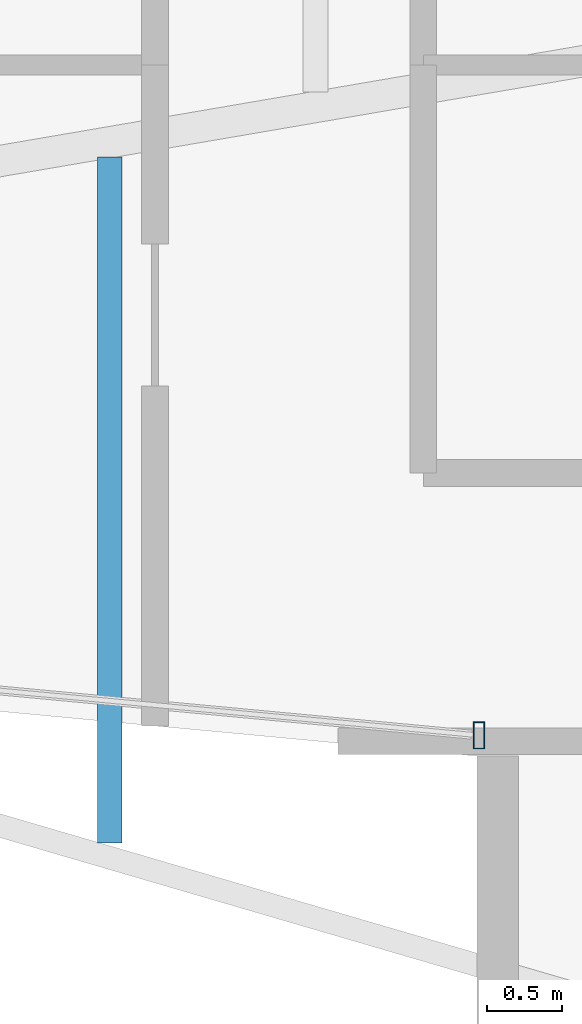
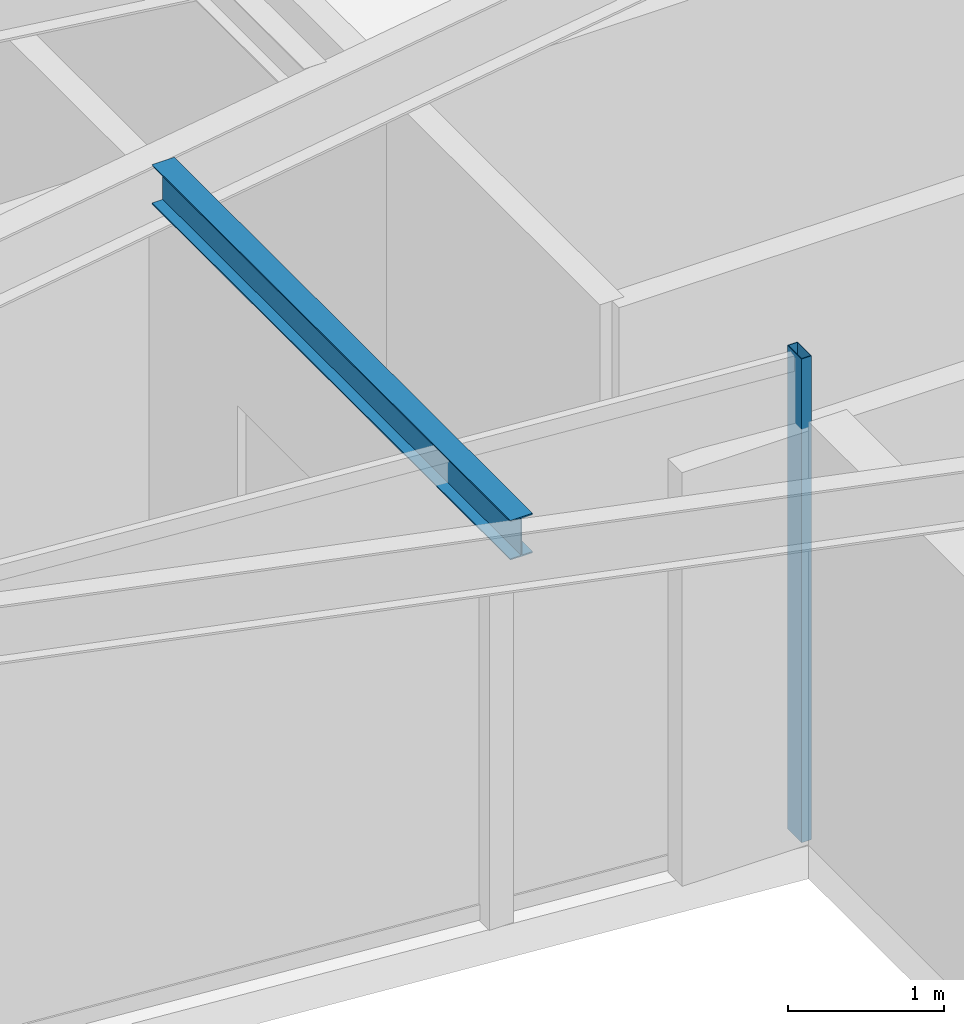
# One storey, part 5 of 23: 1 beam, 1 member, 1 element without a shape of its own.
"""IFC4 building model written with IfcOpenShell, lengths in metres."""

from ifc_helpers import new_model, si_unit, direction, frame, origin, origin_2d, place, context, subcontext, project, spatial, hollow_rectangle, i_section, extrude, material, layer, layer_set, material_profile, profile_set, type_object, element, aggregate, save


model = new_model("IFC4")

# Units and contexts
model_context = context("Model", 3, precision=1e-05, world=origin(), true_north=direction((0.0, 1.0)))
body_context = subcontext(model_context, "Body", "Model", "MODEL_VIEW")
ifc_project = project(units=[si_unit("LENGTHUNIT", "METRE"), si_unit("AREAUNIT", "SQUARE_METRE"), si_unit("VOLUMEUNIT", "CUBIC_METRE"), si_unit("PLANEANGLEUNIT", "RADIAN"), si_unit("MASSUNIT", "GRAM", prefix="KILO")], contexts=[model_context])

# Site, building, storey
site_placement = place(None, origin())
site = spatial("IfcSite", under=ifc_project, at=site_placement, CompositionType="ELEMENT")
building_placement = place(site_placement, origin())
building = spatial("IfcBuilding", under=site, at=building_placement, Name="Veymaron Broadcast Tower", CompositionType="ELEMENT")
storey_placement = place(building_placement, frame((0.0, 0.0, 224.25)))
storey = spatial("IfcBuildingStorey", under=building, at=storey_placement, Name="L52", CompositionType="ELEMENT", Elevation=224.25)

# Beam
ifc_material_1 = material(Name="Structural steel ASTM A992 Gr 50", Category="steel")
ifc_material_profile_1 = material_profile(ifc_material_1, i_section(OverallWidth=0.1650390625, OverallDepth=0.31005859375, WebThickness=0.005859375, FlangeThickness=0.009765625, at=origin_2d()), Name="W310X39")
ifc_profile_set_1 = profile_set([ifc_material_profile_1], Name="Structural steel ASTM A992 Gr 50")
beam_type = type_object("IfcBeamType", Name="BM-JS3", PredefinedType="JOIST", material=ifc_profile_set_1)
beam_placement = place(storey_placement, frame((24.29638671875, 18.117919921875, 3.635009765625), z_axis=(0.0, 1.0, 0.0), x_axis=(-1.0, 0.0, 0.0)))
element("IfcBeam", 1, at=beam_placement, inside=storey, type_object=beam_type, Name="L52 Arm-A secondary joist 2S", PredefinedType="JOIST", context=body_context, shape_type="SweptSolid", body=[
    extrude(i_section(OverallWidth=0.1650390625, OverallDepth=0.31005859375, WebThickness=0.005859375, FlangeThickness=0.009765625, at=origin_2d()), origin(), (0.0, 0.0, 1.0), 4.60009765625),
])

# Curtain wall, member
ifc_material_2 = material(Name="Anodised aluminium AA 6063-T6 and laminated low-E dark glass", Category="aluminium")
ifc_layer = layer(ifc_material_2, 0.179931640625)
ifc_layer_set = layer_set([ifc_layer], Name="Anodised aluminium AA 6063-T6 and laminated low-E dark glass")
curtain_wall_type = type_object("IfcCurtainWallType", Name="CW-SYS-05", PredefinedType="NOTDEFINED", material=ifc_layer_set)
curtain_wall_placement = place(storey_placement, origin())
curtain_wall = element("IfcCurtainWall", 2, at=curtain_wall_placement, inside=storey, type_object=curtain_wall_type, Name="L52 dark-glass curtain wall CW-L52-E14-1", PredefinedType="NOTDEFINED")
ifc_material_3 = material(Name="Anodised aluminium AA 6063-T6", Category="aluminium")
ifc_material_profile_2 = material_profile(ifc_material_3, hollow_rectangle(XDim=0.074951171875, YDim=0.179931640625, WallThickness=0.0048828125, at=origin_2d()), Name="AL180X75X5")
ifc_profile_set_2 = profile_set([ifc_material_profile_2], Name="Anodised aluminium AA 6063-T6")
member_type = type_object("IfcMemberType", Name="CW-MUL-02", PredefinedType="MULLION", material=ifc_profile_set_2)
member_placement = place(storey_placement, frame((26.773193359375, 18.839111328125, 0.0), z_axis=(0.0, 0.0, 1.0), x_axis=(1.0, 0.0, 0.0)))
member = element("IfcMember", 3, at=member_placement, type_object=member_type, Name="CW-L52-E14-1 mullion 2", PredefinedType="MULLION", context=body_context, shape_type="SweptSolid", body=[
    extrude(hollow_rectangle(XDim=0.074951171875, YDim=0.179931640625, WallThickness=0.0048828125, at=origin_2d()), origin(), (0.0, 0.0, 1.0), 3.7900390625),
])
aggregate(curtain_wall, [member])

save(model, "model.ifc")
